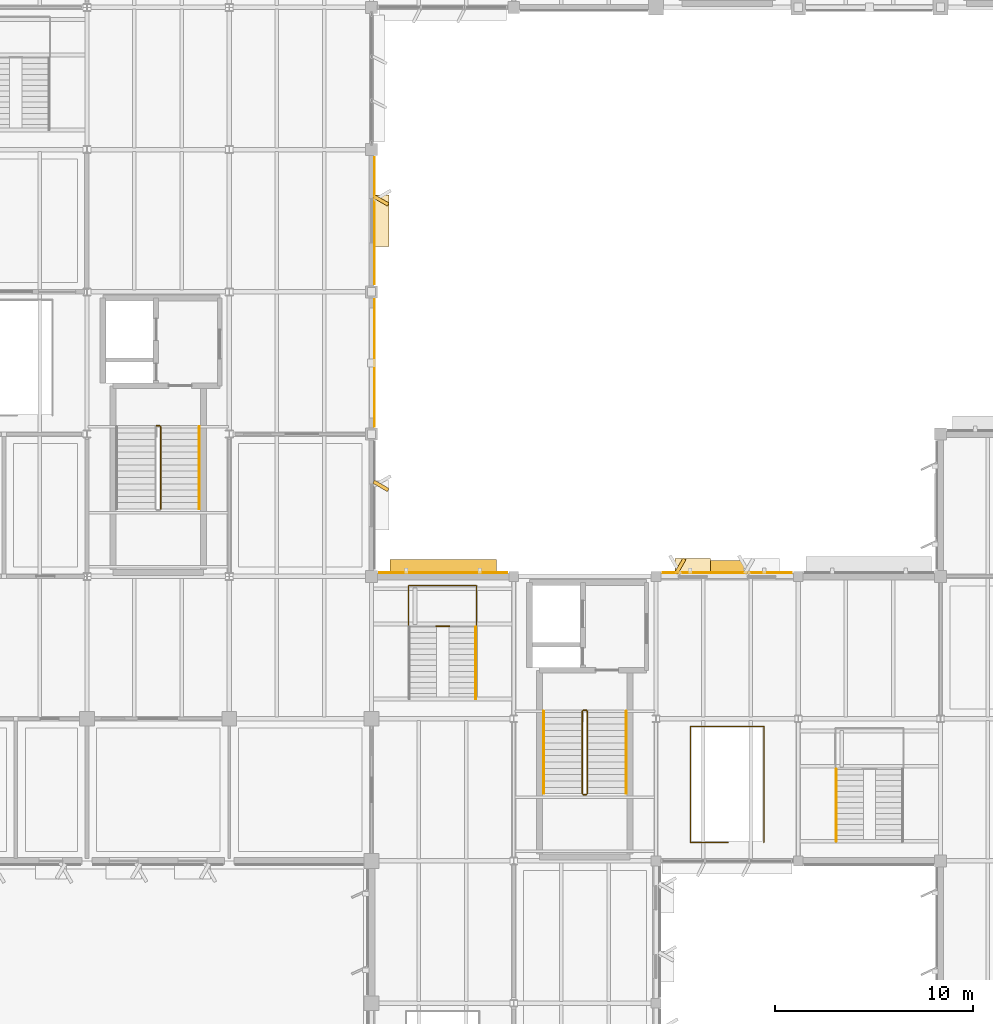
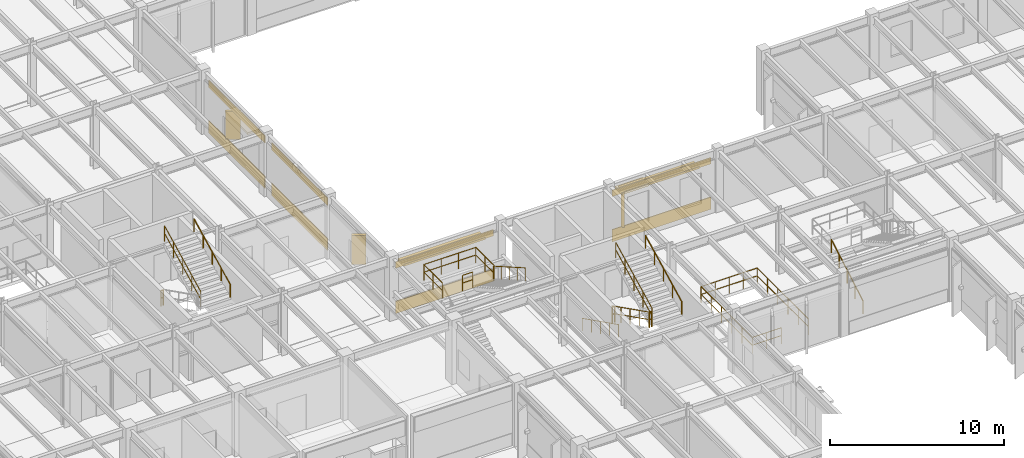
# One storey, part 79 of 92: 14 railings, 13 coverings, 2 shading devices.
"""IFC4 building model written with IfcOpenShell, lengths in metres."""

from ifc_helpers import new_model, si_unit, direction, frame, frame_2d, origin, origin_2d, place, context, subcontext, project, spatial, rectangle, circle, extrude, material, layer, layer_set, type_object, element, save


model = new_model("IFC4")

# Units and contexts
model_context = context("Model", 3, precision=1e-05, world=origin(), true_north=direction((0.0, 1.0)))
body_context = subcontext(model_context, "Body", "Model", "MODEL_VIEW")
ifc_project = project(units=[si_unit("LENGTHUNIT", "METRE"), si_unit("AREAUNIT", "SQUARE_METRE"), si_unit("VOLUMEUNIT", "CUBIC_METRE"), si_unit("PLANEANGLEUNIT", "RADIAN"), si_unit("MASSUNIT", "GRAM", prefix="KILO")], contexts=[model_context])

# Site, building, storey
site_placement = place(None, origin())
site = spatial("IfcSite", under=ifc_project, at=site_placement, CompositionType="ELEMENT")
building_placement = place(site_placement, origin())
building = spatial("IfcBuilding", under=site, at=building_placement, Name="Sillqori Civic Hall", CompositionType="ELEMENT")
storey_placement = place(building_placement, frame((0.0, 0.0, 5.39990234375)))
storey = spatial("IfcBuildingStorey", under=building, at=storey_placement, Name="L02", CompositionType="ELEMENT", Elevation=5.39990234375)

# Coverings
ifc_material_1 = material(Name="Cochabamba Honed Limestone Cladding", Category="masonry")
ifc_layer_1 = layer(ifc_material_1, 0.044921875)
ifc_layer_set_1 = layer_set([ifc_layer_1], Name="Cochabamba Honed Limestone Cladding")
covering_type = type_object("IfcCoveringType", Name="COV-CLAD-LIME", PredefinedType="CLADDING", material=ifc_layer_set_1)
covering_1_placement = place(storey_placement, frame((36.110107421875, 55.195068359375, 0.830078125), z_axis=(0.0, 0.0, 1.0), x_axis=(0.865989465428, -0.500062241894, 0.0)))
element("IfcCovering", 1, at=covering_1_placement, inside=storey, type_object=covering_type, Name="Sawtooth limestone angled reveal cheek L02-04-07-E.1", PredefinedType="CLADDING", context=body_context, shape_type="SweptSolid", body=[
    extrude(rectangle(XDim=0.85009765625, YDim=0.179931640625, at=frame_2d((0.425048828125, 0.0))), origin(), (0.0, 0.0, 1.0), 2.050048828125),
])
covering_2_placement = place(storey_placement, frame((36.14990234375, 64.419921875, 0.0400390625), z_axis=(0.0, 0.0, 1.0), x_axis=(0.0, -1.0, 0.0)))
element("IfcCovering", 2, at=covering_2_placement, inside=storey, type_object=covering_type, Name="L02 limestone spandrel cladding L02-04-08-E", PredefinedType="CLADDING", context=body_context, shape_type="SweptSolid", body=[
    extrude(rectangle(XDim=6.43994140625, YDim=0.044921875, at=frame_2d((3.219970703125, 0.0))), origin(), (0.0, 0.0, 1.0), 0.860107421875),
])
covering_3_placement = place(storey_placement, frame((36.14990234375, 64.419921875, 3.22021484375), z_axis=(0.0, 0.0, 1.0), x_axis=(0.0, -1.0, 0.0)))
element("IfcCovering", 3, at=covering_3_placement, inside=storey, type_object=covering_type, Name="L02 limestone frieze cladding L02-04-08-E", PredefinedType="CLADDING", context=body_context, shape_type="SweptSolid", body=[
    extrude(rectangle(XDim=6.43994140625, YDim=0.044921875, at=frame_2d((3.219970703125, 0.0))), origin(), (0.0, 0.0, 1.0), 0.5068359375),
])
covering_4_placement = place(storey_placement, frame((36.14990234375, 71.6201171875, 0.0400390625), z_axis=(0.0, 0.0, 1.0), x_axis=(0.0, -1.0, 0.0)))
element("IfcCovering", 4, at=covering_4_placement, inside=storey, type_object=covering_type, Name="L02 limestone spandrel cladding L02-04-09-E", PredefinedType="CLADDING", context=body_context, shape_type="SweptSolid", body=[
    extrude(rectangle(XDim=6.440185546875, YDim=0.044921875, at=frame_2d((3.22021484375, 0.0))), origin(), (0.0, 0.0, 1.0), 0.860107421875),
])
covering_5_placement = place(storey_placement, frame((36.14990234375, 71.6201171875, 3.22021484375), z_axis=(0.0, 0.0, 1.0), x_axis=(0.0, -1.0, 0.0)))
element("IfcCovering", 5, at=covering_5_placement, inside=storey, type_object=covering_type, Name="L02 limestone frieze cladding L02-04-09-E", PredefinedType="CLADDING", context=body_context, shape_type="SweptSolid", body=[
    extrude(rectangle(XDim=6.440185546875, YDim=0.044921875, at=frame_2d((3.22021484375, 0.0))), origin(), (0.0, 0.0, 1.0), 0.5068359375),
])
covering_6_placement = place(storey_placement, frame((36.110107421875, 69.64501953125, 0.830078125), z_axis=(0.0, 0.0, 1.0), x_axis=(0.865989465428, -0.500062241894, 0.0)))
element("IfcCovering", 6, at=covering_6_placement, inside=storey, type_object=covering_type, Name="Sawtooth limestone angled reveal cheek L02-04-09-E.1", PredefinedType="CLADDING", context=body_context, shape_type="SweptSolid", body=[
    extrude(rectangle(XDim=0.85009765625, YDim=0.179931640625, at=frame_2d((0.425048828125, 0.0))), origin(), (0.0, 0.0, 1.0), 1.949951171875),
])
covering_7_placement = place(storey_placement, frame((36.489990234375, 69.705078125, 2.64013671875), z_axis=(0.0, 0.0, 1.0), x_axis=(0.0, -1.0, 0.0)))
element("IfcCovering", 7, at=covering_7_placement, inside=storey, type_object=covering_type, Name="Sawtooth limestone window hood L02-04-09-E.1", PredefinedType="CLADDING", context=body_context, shape_type="SweptSolid", body=[
    extrude(rectangle(XDim=2.610107421875, YDim=0.780029296875, at=frame_2d((1.30517578125, 0.0))), origin(), (0.0, 0.0, 1.0), 0.139892578125),
])
covering_8_placement = place(storey_placement, frame((36.3798828125, 50.590087890625, 0.0400390625), z_axis=(0.0, 0.0, 1.0), x_axis=(1.0, 0.0, 0.0)))
element("IfcCovering", 8, at=covering_8_placement, inside=storey, type_object=covering_type, Name="L02 limestone spandrel cladding L02-05-06-N", PredefinedType="CLADDING", context=body_context, shape_type="SweptSolid", body=[
    extrude(rectangle(XDim=6.490234375, YDim=0.044921875, at=frame_2d((3.2451171875, 0.0))), origin(), (0.0, 0.0, 1.0), 0.860107421875),
])
covering_9_placement = place(storey_placement, frame((36.3798828125, 50.590087890625, 3.22021484375), z_axis=(0.0, 0.0, 1.0), x_axis=(1.0, 0.0, 0.0)))
element("IfcCovering", 9, at=covering_9_placement, inside=storey, type_object=covering_type, Name="L02 limestone frieze cladding L02-05-06-N", PredefinedType="CLADDING", context=body_context, shape_type="SweptSolid", body=[
    extrude(rectangle(XDim=6.490234375, YDim=0.044921875, at=frame_2d((3.2451171875, 0.0))), origin(), (0.0, 0.0, 1.0), 0.43798828125),
])
covering_10_placement = place(storey_placement, frame((50.72998046875, 50.590087890625, 0.0400390625), z_axis=(0.0, 0.0, 1.0), x_axis=(1.0, 0.0, 0.0)))
element("IfcCovering", 10, at=covering_10_placement, inside=storey, type_object=covering_type, Name="L02 limestone spandrel cladding L02-07-06-N", PredefinedType="CLADDING", context=body_context, shape_type="SweptSolid", body=[
    extrude(rectangle(XDim=6.5400390625, YDim=0.044921875, at=frame_2d((3.27001953125, 0.0))), origin(), (0.0, 0.0, 1.0), 0.860107421875),
])
covering_11_placement = place(storey_placement, frame((50.72998046875, 50.590087890625, 3.22021484375), z_axis=(0.0, 0.0, 1.0), x_axis=(1.0, 0.0, 0.0)))
element("IfcCovering", 11, at=covering_11_placement, inside=storey, type_object=covering_type, Name="L02 limestone frieze cladding L02-07-06-N", PredefinedType="CLADDING", context=body_context, shape_type="SweptSolid", body=[
    extrude(rectangle(XDim=6.5400390625, YDim=0.044921875, at=frame_2d((3.27001953125, 0.0))), origin(), (0.0, 0.0, 1.0), 0.43798828125),
])
covering_12_placement = place(storey_placement, frame((51.4130859375, 50.550048828125, 0.830078125), z_axis=(0.0, 0.0, 1.0), x_axis=(0.499846793097, 0.866113839764, 0.0)))
element("IfcCovering", 12, at=covering_12_placement, inside=storey, type_object=covering_type, Name="Sawtooth limestone angled reveal cheek L02-07-06-N.1", PredefinedType="CLADDING", context=body_context, shape_type="SweptSolid", body=[
    extrude(rectangle(XDim=0.849853515625, YDim=0.179931640625, at=frame_2d((0.4248046875, 0.0))), origin(), (0.0, 0.0, 1.0), 2.449951171875),
])
covering_13_placement = place(storey_placement, frame((51.35302734375, 50.929931640625, 3.14013671875), z_axis=(0.0, 0.0, 1.0), x_axis=(1.0, 0.0, 0.0)))
element("IfcCovering", 13, at=covering_13_placement, inside=storey, type_object=covering_type, Name="Sawtooth limestone window hood L02-07-06-N.1", PredefinedType="CLADDING", context=body_context, shape_type="SweptSolid", body=[
    extrude(rectangle(XDim=1.81005859375, YDim=0.780029296875, at=frame_2d((0.905029296875, 0.0))), origin(), (0.0, 0.0, 1.0), 0.139892578125),
])

# Railings
ifc_material_2 = material(Name="Architectural Bronze and Tempered Glass Balustrade", Category="glass")
ifc_layer_2 = layer(ifc_material_2, 0.080078125)
ifc_layer_set_2 = layer_set([ifc_layer_2], Name="Architectural Bronze and Tempered Glass Balustrade")
railing_type_1 = type_object("IfcRailingType", Name="RLG-BALU-115", PredefinedType="BALUSTRADE", material=ifc_layer_set_2)
railing_1_placement = place(storey_placement, frame((54.06005859375, 36.93994140625, 0.0)))
element("IfcRailing", 14, at=railing_1_placement, inside=storey, type_object=railing_type_1, Name="Council Link Concourse Stair L01-L02 upper atrium well balustrade", PredefinedType="BALUSTRADE", context=body_context, shape_type="SweptSolid", body=[
    extrude(circle(Radius=0.02392578125, at=origin_2d()), frame((0.0, 0.0, 1.1259765625), z_axis=(-1.0, 0.0, 0.0), x_axis=(0.0, -1.0, 0.0)), (0.0, 0.0, 1.0), 1.920166015625),
    extrude(circle(Radius=0.02392578125, at=origin_2d()), frame((0.0, 0.0, 0.574951171875), z_axis=(-1.0, 0.0, 0.0), x_axis=(0.0, -1.0, 0.0)), (0.0, 0.0, 1.0), 1.920166015625),
    extrude(circle(Radius=0.02392578125, at=origin_2d()), frame((-1.920166015625, 0.0, 1.1259765625), z_axis=(0.0, 1.0, 0.0), x_axis=(-1.0, 0.0, 0.0)), (0.0, 0.0, 1.0), 5.8701171875),
    extrude(circle(Radius=0.02392578125, at=origin_2d()), frame((-1.920166015625, 0.0, 0.574951171875), z_axis=(0.0, 1.0, 0.0), x_axis=(-1.0, 0.0, 0.0)), (0.0, 0.0, 1.0), 5.8701171875),
    extrude(circle(Radius=0.02392578125, at=origin_2d()), frame((-1.920166015625, 5.8701171875, 1.1259765625), z_axis=(1.0, 0.0, 0.0), x_axis=(0.0, 1.0, 0.0)), (0.0, 0.0, 1.0), 3.72021484375),
    extrude(circle(Radius=0.02392578125, at=origin_2d()), frame((-1.920166015625, 5.8701171875, 0.574951171875), z_axis=(1.0, 0.0, 0.0), x_axis=(0.0, 1.0, 0.0)), (0.0, 0.0, 1.0), 3.72021484375),
    extrude(circle(Radius=0.02392578125, at=origin_2d()), frame((1.800048828125, 5.8701171875, 1.1259765625), z_axis=(0.0, -1.0, 0.0), x_axis=(1.0, 0.0, 0.0)), (0.0, 0.0, 1.0), 5.8701171875),
    extrude(circle(Radius=0.02392578125, at=origin_2d()), frame((1.800048828125, 5.8701171875, 0.574951171875), z_axis=(0.0, -1.0, 0.0), x_axis=(1.0, 0.0, 0.0)), (0.0, 0.0, 1.0), 5.8701171875),
    extrude(circle(Radius=0.02099609375, at=origin_2d()), origin(), (0.0, 0.0, 1.0), 1.101806640625),
    extrude(circle(Radius=0.02099609375, at=origin_2d()), frame((-0.9599609375, 0.0, 0.0)), (0.0, 0.0, 1.0), 1.101806640625),
    extrude(circle(Radius=0.02099609375, at=origin_2d()), frame((-1.920166015625, 0.0, 0.0)), (0.0, 0.0, 1.0), 1.101806640625),
    extrude(circle(Radius=0.02099609375, at=origin_2d()), frame((-1.920166015625, 1.174072265625, 0.0)), (0.0, 0.0, 1.0), 1.101806640625),
    extrude(circle(Radius=0.02099609375, at=origin_2d()), frame((-1.920166015625, 2.34814453125, 0.0)), (0.0, 0.0, 1.0), 1.101806640625),
    extrude(circle(Radius=0.02099609375, at=origin_2d()), frame((-1.920166015625, 3.52197265625, 0.0)), (0.0, 0.0, 1.0), 1.101806640625),
    extrude(circle(Radius=0.02099609375, at=origin_2d()), frame((-1.920166015625, 4.696044921875, 0.0)), (0.0, 0.0, 1.0), 1.101806640625),
    extrude(circle(Radius=0.02099609375, at=origin_2d()), frame((-1.920166015625, 5.8701171875, 0.0)), (0.0, 0.0, 1.0), 1.101806640625),
    extrude(circle(Radius=0.02099609375, at=origin_2d()), frame((-0.990234375, 5.8701171875, 0.0)), (0.0, 0.0, 1.0), 1.101806640625),
    extrude(circle(Radius=0.02099609375, at=origin_2d()), frame((-0.06005859375, 5.8701171875, 0.0)), (0.0, 0.0, 1.0), 1.101806640625),
    extrude(circle(Radius=0.02099609375, at=origin_2d()), frame((0.8701171875, 5.8701171875, 0.0)), (0.0, 0.0, 1.0), 1.101806640625),
    extrude(circle(Radius=0.02099609375, at=origin_2d()), frame((1.800048828125, 5.8701171875, 0.0)), (0.0, 0.0, 1.0), 1.101806640625),
    extrude(circle(Radius=0.02099609375, at=origin_2d()), frame((1.800048828125, 4.696044921875, 0.0)), (0.0, 0.0, 1.0), 1.101806640625),
    extrude(circle(Radius=0.02099609375, at=origin_2d()), frame((1.800048828125, 3.52197265625, 0.0)), (0.0, 0.0, 1.0), 1.101806640625),
    extrude(circle(Radius=0.02099609375, at=origin_2d()), frame((1.800048828125, 2.34814453125, 0.0)), (0.0, 0.0, 1.0), 1.101806640625),
    extrude(circle(Radius=0.02099609375, at=origin_2d()), frame((1.800048828125, 1.174072265625, 0.0)), (0.0, 0.0, 1.0), 1.101806640625),
    extrude(circle(Radius=0.02099609375, at=origin_2d()), frame((1.800048828125, 0.0, 0.0)), (0.0, 0.0, 1.0), 1.101806640625),
])
ifc_material_3 = material(Name="Brushed Stainless Steel 316 Handrail", Category="steel")
ifc_layer_3 = layer(ifc_material_3, 0.044921875)
ifc_layer_set_3 = layer_set([ifc_layer_3], Name="Brushed Stainless Steel 316 Handrail")
railing_type_2 = type_object("IfcRailingType", Name="RLG-CORE-092", PredefinedType="HANDRAIL", material=ifc_layer_set_3)
railing_2_placement = place(storey_placement, frame((44.7099609375, 43.570068359375, 0.160888671875)))
element("IfcRailing", 15, at=railing_2_placement, inside=storey, type_object=railing_type_2, Name="L02 ST-01 stair handrail 1", PredefinedType="HANDRAIL", context=body_context, shape_type="SweptSolid", body=[
    extrude(circle(Radius=0.02392578125, at=origin_2d()), frame((0.0, 0.0, 0.8759765625), z_axis=(0.0, -0.893649669291, 0.448765271134), x_axis=(1.0, 0.0, 0.0)), (0.0, 0.0, 1.0), 4.6552734375),
    extrude(circle(Radius=0.02099609375, at=origin_2d()), origin(), (0.0, 0.0, 1.0), 0.851806640625),
    extrude(circle(Radius=0.02099609375, at=origin_2d()), frame((0.0, -1.0400390625, 0.522216796875)), (0.0, 0.0, 1.0), 0.851806640625),
    extrude(circle(Radius=0.02099609375, at=origin_2d()), frame((0.0, -2.080078125, 1.04443359375)), (0.0, 0.0, 1.0), 0.851806640625),
    extrude(circle(Radius=0.02099609375, at=origin_2d()), frame((0.0, -3.1201171875, 1.56689453125)), (0.0, 0.0, 1.0), 0.851806640625),
    extrude(circle(Radius=0.02099609375, at=origin_2d()), frame((0.0, -4.16015625, 2.089111328125)), (0.0, 0.0, 1.0), 0.851806640625),
])
railing_3_placement = place(storey_placement, frame((48.889892578125, 39.409912109375, 2.410888671875)))
element("IfcRailing", 16, at=railing_3_placement, inside=storey, type_object=railing_type_2, Name="L02 ST-01 stair handrail 2", PredefinedType="HANDRAIL", context=body_context, shape_type="SweptSolid", body=[
    extrude(circle(Radius=0.02392578125, at=origin_2d()), frame((0.0, 0.0, 0.8759765625), z_axis=(0.0, 0.893649669291, 0.448765271134), x_axis=(-1.0, 0.0, 0.0)), (0.0, 0.0, 1.0), 4.6552734375),
    extrude(circle(Radius=0.02099609375, at=origin_2d()), origin(), (0.0, 0.0, 1.0), 0.851806640625),
    extrude(circle(Radius=0.02099609375, at=origin_2d()), frame((0.0, 1.0400390625, 0.522216796875)), (0.0, 0.0, 1.0), 0.851806640625),
    extrude(circle(Radius=0.02099609375, at=origin_2d()), frame((0.0, 2.080078125, 1.04443359375)), (0.0, 0.0, 1.0), 0.851806640625),
    extrude(circle(Radius=0.02099609375, at=origin_2d()), frame((0.0, 3.1201171875, 1.56689453125)), (0.0, 0.0, 1.0), 0.851806640625),
    extrude(circle(Radius=0.02099609375, at=origin_2d()), frame((0.0, 4.16015625, 2.089111328125)), (0.0, 0.0, 1.0), 0.851806640625),
])
railing_4_placement = place(storey_placement, frame((27.2900390625, 53.81005859375, 2.410888671875)))
element("IfcRailing", 17, at=railing_4_placement, inside=storey, type_object=railing_type_2, Name="L02 ST-04 stair handrail 2", PredefinedType="HANDRAIL", context=body_context, shape_type="SweptSolid", body=[
    extrude(circle(Radius=0.02392578125, at=origin_2d()), frame((0.0, 0.0, 0.8759765625), z_axis=(0.0, 0.893639106791, 0.448786304173), x_axis=(-1.0, 0.0, 0.0)), (0.0, 0.0, 1.0), 4.655029296875),
    extrude(circle(Radius=0.02099609375, at=origin_2d()), origin(), (0.0, 0.0, 1.0), 0.851806640625),
    extrude(circle(Radius=0.02099609375, at=origin_2d()), frame((0.0, 1.0400390625, 0.522216796875)), (0.0, 0.0, 1.0), 0.851806640625),
    extrude(circle(Radius=0.02099609375, at=origin_2d()), frame((0.0, 2.080078125, 1.04443359375)), (0.0, 0.0, 1.0), 0.851806640625),
    extrude(circle(Radius=0.02099609375, at=origin_2d()), frame((0.0, 3.119873046875, 1.56689453125)), (0.0, 0.0, 1.0), 0.851806640625),
    extrude(circle(Radius=0.02099609375, at=origin_2d()), frame((0.0, 4.159912109375, 2.089111328125)), (0.0, 0.0, 1.0), 0.851806640625),
])
railing_5_placement = place(storey_placement, frame((41.280029296875, 47.840087890625, 2.410888671875)))
element("IfcRailing", 18, at=railing_5_placement, inside=storey, type_object=railing_type_2, Name="Council Gallery Ceremonial Stair L02-L03 handrail E", PredefinedType="HANDRAIL", context=body_context, shape_type="SweptSolid", body=[
    extrude(circle(Radius=0.02392578125, at=origin_2d()), frame((0.0, 0.0, 0.89599609375), z_axis=(0.0, -0.867314486057, 0.497760567216), x_axis=(1.0, 0.0, 0.0)), (0.0, 0.0, 1.0), 4.197021484375),
    extrude(circle(Radius=0.02099609375, at=origin_2d()), origin(), (0.0, 0.0, 1.0), 0.871826171875),
    extrude(circle(Radius=0.02099609375, at=origin_2d()), frame((0.0, -0.91015625, 0.522216796875)), (0.0, 0.0, 1.0), 0.871826171875),
    extrude(circle(Radius=0.02099609375, at=origin_2d()), frame((0.0, -1.820068359375, 1.04443359375)), (0.0, 0.0, 1.0), 0.871826171875),
    extrude(circle(Radius=0.02099609375, at=origin_2d()), frame((0.0, -2.72998046875, 1.56689453125)), (0.0, 0.0, 1.0), 0.871826171875),
    extrude(circle(Radius=0.02099609375, at=origin_2d()), frame((0.0, -3.64013671875, 2.089111328125)), (0.0, 0.0, 1.0), 0.871826171875),
])
railing_6_placement = place(storey_placement, frame((59.52001953125, 37.0, 0.160888671875)))
element("IfcRailing", 19, at=railing_6_placement, inside=storey, type_object=railing_type_2, Name="Council Link Gallery Stair L02-L03 handrail W", PredefinedType="HANDRAIL", context=body_context, shape_type="SweptSolid", body=[
    extrude(circle(Radius=0.02392578125, at=origin_2d()), frame((0.0, 0.0, 0.89599609375), z_axis=(0.0, 0.867300072446, 0.497785681127), x_axis=(-1.0, 0.0, 0.0)), (0.0, 0.0, 1.0), 4.19677734375),
    extrude(circle(Radius=0.02099609375, at=origin_2d()), origin(), (0.0, 0.0, 1.0), 0.871826171875),
    extrude(circle(Radius=0.02099609375, at=origin_2d()), frame((0.0, 0.909912109375, 0.522216796875)), (0.0, 0.0, 1.0), 0.871826171875),
    extrude(circle(Radius=0.02099609375, at=origin_2d()), frame((0.0, 1.81982421875, 1.04443359375)), (0.0, 0.0, 1.0), 0.871826171875),
    extrude(circle(Radius=0.02099609375, at=origin_2d()), frame((0.0, 2.72998046875, 1.56689453125)), (0.0, 0.0, 1.0), 0.871826171875),
    extrude(circle(Radius=0.02099609375, at=origin_2d()), frame((0.0, 3.639892578125, 2.089111328125)), (0.0, 0.0, 1.0), 0.871826171875),
])
ifc_material_4 = material(Name="Galvanized Painted Steel Guardrail", Category="steel")
ifc_layer_4 = layer(ifc_material_4, 0.050048828125)
ifc_layer_set_4 = layer_set([ifc_layer_4], Name="Galvanized Painted Steel Guardrail")
railing_type_3 = type_object("IfcRailingType", Name="RLG-CORE-110", PredefinedType="GUARDRAIL", material=ifc_layer_set_4)
railing_7_placement = place(storey_placement, frame((46.669921875, 43.570068359375, 0.160888671875)))
element("IfcRailing", 20, at=railing_7_placement, inside=storey, type_object=railing_type_3, Name="L02 ST-01 stair guard 1", PredefinedType="GUARDRAIL", context=body_context, shape_type="SweptSolid", body=[
    extrude(circle(Radius=0.02392578125, at=origin_2d()), frame((0.0, 0.0, 1.076171875), z_axis=(0.0, -0.893649669291, 0.448765271134), x_axis=(1.0, 0.0, 0.0)), (0.0, 0.0, 1.0), 4.6552734375),
    extrude(circle(Radius=0.02392578125, at=origin_2d()), frame((0.0, 0.0, 0.550048828125), z_axis=(0.0, -0.893649669291, 0.448765271134), x_axis=(1.0, 0.0, 0.0)), (0.0, 0.0, 1.0), 4.6552734375),
    extrude(circle(Radius=0.02099609375, at=origin_2d()), origin(), (0.0, 0.0, 1.0), 1.052001953125),
    extrude(circle(Radius=0.02099609375, at=origin_2d()), frame((0.0, -1.0400390625, 0.522216796875)), (0.0, 0.0, 1.0), 1.052001953125),
    extrude(circle(Radius=0.02099609375, at=origin_2d()), frame((0.0, -2.080078125, 1.04443359375)), (0.0, 0.0, 1.0), 1.052001953125),
    extrude(circle(Radius=0.02099609375, at=origin_2d()), frame((0.0, -3.1201171875, 1.56689453125)), (0.0, 0.0, 1.0), 1.052001953125),
    extrude(circle(Radius=0.02099609375, at=origin_2d()), frame((0.0, -4.16015625, 2.089111328125)), (0.0, 0.0, 1.0), 1.052001953125),
])
railing_8_placement = place(storey_placement, frame((46.719970703125, 39.360107421875, 2.25)))
element("IfcRailing", 21, at=railing_8_placement, inside=storey, type_object=railing_type_3, Name="L02 ST-01 stair guard 2", PredefinedType="GUARDRAIL", context=body_context, shape_type="SweptSolid", body=[
    extrude(circle(Radius=0.02392578125, at=origin_2d()), frame((0.0, 0.0, 1.076171875), z_axis=(1.0, 0.0, 0.0), x_axis=(0.0, 1.0, 0.0)), (0.0, 0.0, 1.0), 0.159912109375),
    extrude(circle(Radius=0.02392578125, at=origin_2d()), frame((0.0, 0.0, 0.550048828125), z_axis=(1.0, 0.0, 0.0), x_axis=(0.0, 1.0, 0.0)), (0.0, 0.0, 1.0), 0.159912109375),
    extrude(circle(Radius=0.02099609375, at=origin_2d()), origin(), (0.0, 0.0, 1.0), 1.052001953125),
    extrude(circle(Radius=0.02099609375, at=origin_2d()), frame((0.159912109375, 0.0, 0.0)), (0.0, 0.0, 1.0), 1.052001953125),
])
railing_9_placement = place(storey_placement, frame((46.929931640625, 39.409912109375, 2.410888671875)))
element("IfcRailing", 22, at=railing_9_placement, inside=storey, type_object=railing_type_3, Name="L02 ST-01 stair guard 3", PredefinedType="GUARDRAIL", context=body_context, shape_type="SweptSolid", body=[
    extrude(circle(Radius=0.02392578125, at=origin_2d()), frame((0.0, 0.0, 1.076171875), z_axis=(0.0, 0.893649669291, 0.448765271134), x_axis=(-1.0, 0.0, 0.0)), (0.0, 0.0, 1.0), 4.6552734375),
    extrude(circle(Radius=0.02392578125, at=origin_2d()), frame((0.0, 0.0, 0.550048828125), z_axis=(0.0, 0.893649669291, 0.448765271134), x_axis=(-1.0, 0.0, 0.0)), (0.0, 0.0, 1.0), 4.6552734375),
    extrude(circle(Radius=0.02099609375, at=origin_2d()), origin(), (0.0, 0.0, 1.0), 1.052001953125),
    extrude(circle(Radius=0.02099609375, at=origin_2d()), frame((0.0, 1.0400390625, 0.522216796875)), (0.0, 0.0, 1.0), 1.052001953125),
    extrude(circle(Radius=0.02099609375, at=origin_2d()), frame((0.0, 2.080078125, 1.04443359375)), (0.0, 0.0, 1.0), 1.052001953125),
    extrude(circle(Radius=0.02099609375, at=origin_2d()), frame((0.0, 3.1201171875, 1.56689453125)), (0.0, 0.0, 1.0), 1.052001953125),
    extrude(circle(Radius=0.02099609375, at=origin_2d()), frame((0.0, 4.16015625, 2.089111328125)), (0.0, 0.0, 1.0), 1.052001953125),
])
railing_10_placement = place(storey_placement, frame((46.719970703125, 43.6201171875, 0.0)))
element("IfcRailing", 23, at=railing_10_placement, inside=storey, type_object=railing_type_3, Name="L02 ST-01 stair guard 4", PredefinedType="GUARDRAIL", context=body_context, shape_type="SweptSolid", body=[
    extrude(circle(Radius=0.02392578125, at=origin_2d()), frame((0.0, 0.0, 1.076171875), z_axis=(1.0, 0.0, 0.0), x_axis=(0.0, 1.0, 0.0)), (0.0, 0.0, 1.0), 0.159912109375),
    extrude(circle(Radius=0.02392578125, at=origin_2d()), frame((0.0, 0.0, 0.550048828125), z_axis=(1.0, 0.0, 0.0), x_axis=(0.0, 1.0, 0.0)), (0.0, 0.0, 1.0), 0.159912109375),
    extrude(circle(Radius=0.02099609375, at=origin_2d()), origin(), (0.0, 0.0, 1.0), 1.052001953125),
    extrude(circle(Radius=0.02099609375, at=origin_2d()), frame((0.159912109375, 0.0, 0.0)), (0.0, 0.0, 1.0), 1.052001953125),
])
railing_11_placement = place(storey_placement, frame((25.330078125, 53.81005859375, 2.410888671875)))
element("IfcRailing", 24, at=railing_11_placement, inside=storey, type_object=railing_type_3, Name="L02 ST-04 stair guard 3", PredefinedType="GUARDRAIL", context=body_context, shape_type="SweptSolid", body=[
    extrude(circle(Radius=0.02392578125, at=origin_2d()), frame((0.0, 0.0, 1.076171875), z_axis=(0.0, 0.893639106791, 0.448786304173), x_axis=(-1.0, 0.0, 0.0)), (0.0, 0.0, 1.0), 4.655029296875),
    extrude(circle(Radius=0.02392578125, at=origin_2d()), frame((0.0, 0.0, 0.550048828125), z_axis=(0.0, 0.893639106791, 0.448786304173), x_axis=(-1.0, 0.0, 0.0)), (0.0, 0.0, 1.0), 4.655029296875),
    extrude(circle(Radius=0.02099609375, at=origin_2d()), origin(), (0.0, 0.0, 1.0), 1.052001953125),
    extrude(circle(Radius=0.02099609375, at=origin_2d()), frame((0.0, 1.0400390625, 0.522216796875)), (0.0, 0.0, 1.0), 1.052001953125),
    extrude(circle(Radius=0.02099609375, at=origin_2d()), frame((0.0, 2.080078125, 1.04443359375)), (0.0, 0.0, 1.0), 1.052001953125),
    extrude(circle(Radius=0.02099609375, at=origin_2d()), frame((0.0, 3.119873046875, 1.56689453125)), (0.0, 0.0, 1.0), 1.052001953125),
    extrude(circle(Radius=0.02099609375, at=origin_2d()), frame((0.0, 4.159912109375, 2.089111328125)), (0.0, 0.0, 1.0), 1.052001953125),
])
railing_12_placement = place(storey_placement, frame((25.1201171875, 58.02001953125, 0.0)))
element("IfcRailing", 25, at=railing_12_placement, inside=storey, type_object=railing_type_3, Name="L02 ST-04 stair guard 4", PredefinedType="GUARDRAIL", context=body_context, shape_type="SweptSolid", body=[
    extrude(circle(Radius=0.02392578125, at=origin_2d()), frame((0.0, 0.0, 1.076171875), z_axis=(1.0, 0.0, 0.0), x_axis=(0.0, 1.0, 0.0)), (0.0, 0.0, 1.0), 0.159912109375),
    extrude(circle(Radius=0.02392578125, at=origin_2d()), frame((0.0, 0.0, 0.550048828125), z_axis=(1.0, 0.0, 0.0), x_axis=(0.0, 1.0, 0.0)), (0.0, 0.0, 1.0), 0.159912109375),
    extrude(circle(Radius=0.02099609375, at=origin_2d()), origin(), (0.0, 0.0, 1.0), 1.052001953125),
    extrude(circle(Radius=0.02099609375, at=origin_2d()), frame((0.159912109375, 0.0, 0.0)), (0.0, 0.0, 1.0), 1.052001953125),
])
ifc_material_5 = material(Name="Stainless Steel 316 and Laminated Balustrade", Category="steel")
ifc_layer_5 = layer(ifc_material_5, 0.06005859375)
ifc_layer_set_5 = layer_set([ifc_layer_5], Name="Stainless Steel 316 and Laminated Balustrade")
railing_type_4 = type_object("IfcRailingType", Name="RLG-TERR-112", PredefinedType="GUARDRAIL", material=ifc_layer_set_5)
railing_13_placement = place(storey_placement, frame((37.8798828125, 47.840087890625, 2.25)))
element("IfcRailing", 26, at=railing_13_placement, inside=storey, type_object=railing_type_4, Name="Council Gallery Ceremonial Stair L02-L03 half-landing guard", PredefinedType="GUARDRAIL", context=body_context, shape_type="SweptSolid", body=[
    extrude(circle(Radius=0.02392578125, at=origin_2d()), frame((0.0, 0.0, 1.09619140625), z_axis=(0.0, 1.0, 0.0), x_axis=(-1.0, 0.0, 0.0)), (0.0, 0.0, 1.0), 2.08984375),
    extrude(circle(Radius=0.02392578125, at=origin_2d()), frame((0.0, 0.0, 0.56005859375), z_axis=(0.0, 1.0, 0.0), x_axis=(-1.0, 0.0, 0.0)), (0.0, 0.0, 1.0), 2.08984375),
    extrude(circle(Radius=0.02392578125, at=origin_2d()), frame((0.0, 2.08984375, 1.09619140625), z_axis=(1.0, 0.0, 0.0), x_axis=(0.0, 1.0, 0.0)), (0.0, 0.0, 1.0), 3.440185546875),
    extrude(circle(Radius=0.02392578125, at=origin_2d()), frame((0.0, 2.08984375, 0.56005859375), z_axis=(1.0, 0.0, 0.0), x_axis=(0.0, 1.0, 0.0)), (0.0, 0.0, 1.0), 3.440185546875),
    extrude(circle(Radius=0.02392578125, at=origin_2d()), frame((3.440185546875, 2.08984375, 1.09619140625), z_axis=(0.0, -1.0, 0.0), x_axis=(1.0, 0.0, 0.0)), (0.0, 0.0, 1.0), 2.08984375),
    extrude(circle(Radius=0.02392578125, at=origin_2d()), frame((3.440185546875, 2.08984375, 0.56005859375), z_axis=(0.0, -1.0, 0.0), x_axis=(1.0, 0.0, 0.0)), (0.0, 0.0, 1.0), 2.08984375),
    extrude(circle(Radius=0.02099609375, at=origin_2d()), origin(), (0.0, 0.0, 1.0), 1.072021484375),
    extrude(circle(Radius=0.02099609375, at=origin_2d()), frame((0.0, 1.044921875, 0.0)), (0.0, 0.0, 1.0), 1.072021484375),
    extrude(circle(Radius=0.02099609375, at=origin_2d()), frame((0.0, 2.08984375, 0.0)), (0.0, 0.0, 1.0), 1.072021484375),
    extrude(circle(Radius=0.02099609375, at=origin_2d()), frame((1.146728515625, 2.08984375, 0.0)), (0.0, 0.0, 1.0), 1.072021484375),
    extrude(circle(Radius=0.02099609375, at=origin_2d()), frame((2.29345703125, 2.08984375, 0.0)), (0.0, 0.0, 1.0), 1.072021484375),
    extrude(circle(Radius=0.02099609375, at=origin_2d()), frame((3.440185546875, 2.08984375, 0.0)), (0.0, 0.0, 1.0), 1.072021484375),
    extrude(circle(Radius=0.02099609375, at=origin_2d()), frame((3.440185546875, 1.044921875, 0.0)), (0.0, 0.0, 1.0), 1.072021484375),
    extrude(circle(Radius=0.02099609375, at=origin_2d()), frame((3.440185546875, 0.0, 0.0)), (0.0, 0.0, 1.0), 1.072021484375),
])
railing_14_placement = place(storey_placement, frame((39.260009765625, 47.8798828125, 2.25)))
element("IfcRailing", 27, at=railing_14_placement, inside=storey, type_object=railing_type_4, Name="Council Gallery Ceremonial Stair L02-L03 half-landing inner well guard", PredefinedType="GUARDRAIL", context=body_context, shape_type="SweptSolid", body=[
    extrude(circle(Radius=0.02392578125, at=origin_2d()), frame((0.0, 0.0, 1.09619140625), z_axis=(1.0, 0.0, 0.0), x_axis=(0.0, 1.0, 0.0)), (0.0, 0.0, 1.0), 0.679931640625),
    extrude(circle(Radius=0.02392578125, at=origin_2d()), frame((0.0, 0.0, 0.56005859375), z_axis=(1.0, 0.0, 0.0), x_axis=(0.0, 1.0, 0.0)), (0.0, 0.0, 1.0), 0.679931640625),
    extrude(circle(Radius=0.02099609375, at=origin_2d()), origin(), (0.0, 0.0, 1.0), 1.072021484375),
    extrude(circle(Radius=0.02099609375, at=origin_2d()), frame((0.679931640625, 0.0, 0.0)), (0.0, 0.0, 1.0), 1.072021484375),
])

# Shading devices
ifc_material_6 = material(Name="Anodized Aluminium Solar Control Louvre", Category="aluminium")
shading_device_type_1 = type_object("IfcShadingDeviceType", Name="SHD-HOOD-500", PredefinedType="JALOUSIE", material=ifc_material_6)
shading_device_1_placement = place(storey_placement, frame((54.0, 50.8798828125, 3.169921875), z_axis=(0.0, 0.0, 1.0), x_axis=(1.0, 0.0, 0.0)))
element("IfcShadingDevice", 28, at=shading_device_1_placement, inside=storey, type_object=shading_device_type_1, Name="L02 north solar hood L02-07-06-N", PredefinedType="JALOUSIE", context=body_context, shape_type="SweptSolid", body=[
    extrude(rectangle(XDim=5.0, YDim=0.64990234375, at=origin_2d()), origin(), (0.0, 0.0, 1.0), 0.139892578125),
])
shading_device_type_2 = type_object("IfcShadingDeviceType", Name="SHD-HOOD-540", PredefinedType="JALOUSIE", material=ifc_material_6)
shading_device_2_placement = place(storey_placement, frame((39.625, 50.905029296875, 3.169921875), z_axis=(0.0, 0.0, 1.0), x_axis=(1.0, 0.0, 0.0)))
element("IfcShadingDevice", 29, at=shading_device_2_placement, inside=storey, type_object=shading_device_type_2, Name="L02 north solar hood L02-05-06-N", PredefinedType="JALOUSIE", context=body_context, shape_type="SweptSolid", body=[
    extrude(rectangle(XDim=5.39990234375, YDim=0.699951171875, at=origin_2d()), origin(), (0.0, 0.0, 1.0), 0.139892578125),
])

save(model, "model.ifc")
